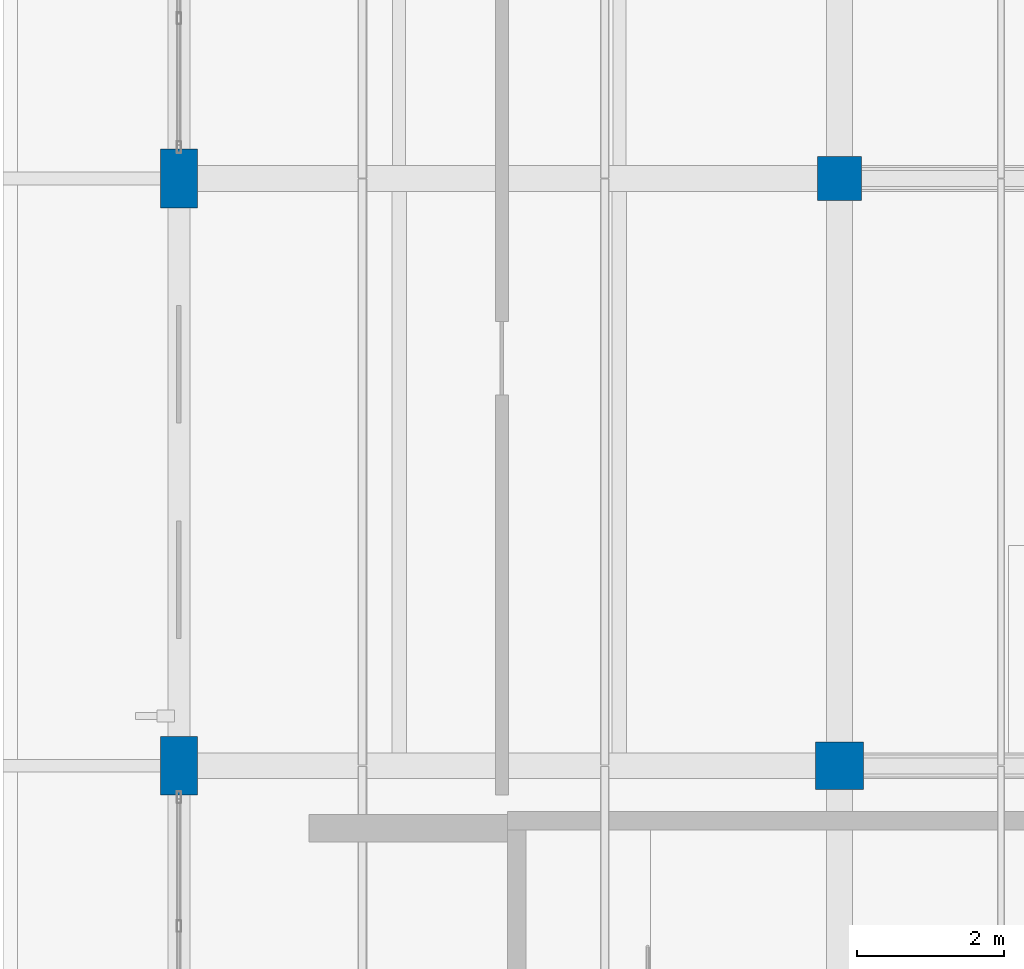
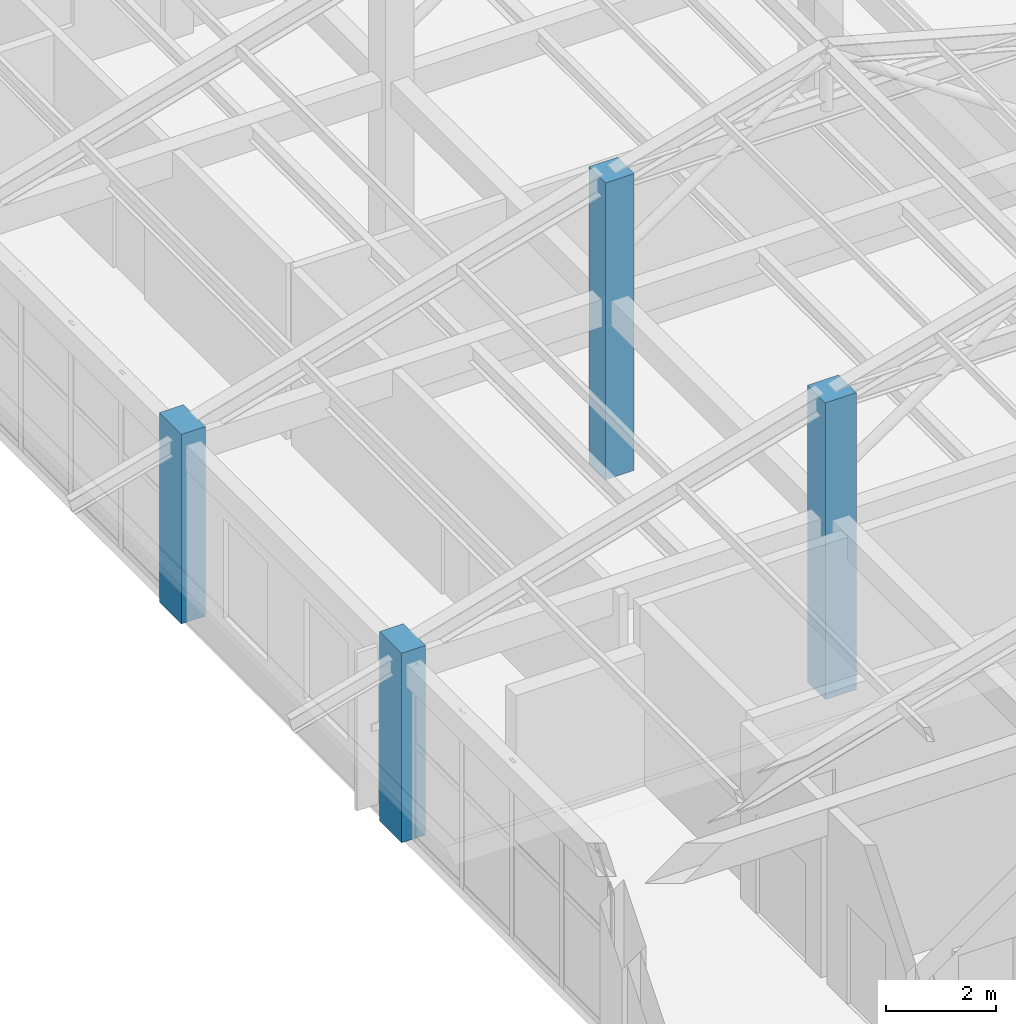
# One storey, part 3 of 58: 4 columns.
"""IFC4 building model written with IfcOpenShell, lengths in metres."""

from ifc_helpers import new_model, si_unit, derived_unit, direction, frame, origin, origin_2d, place, context, subcontext, project, spatial, rectangle, extrude, material, material_profile, profile_set, type_object, element, save


model = new_model("IFC4")

# Units and contexts
model_context = context("Model", 3, precision=1e-05, world=origin(), true_north=direction((0.0, 1.0)))
body_context = subcontext(model_context, "Body", "Model", "MODEL_VIEW")
ifc_project = project(units=[si_unit("LENGTHUNIT", "METRE"), si_unit("AREAUNIT", "SQUARE_METRE"), si_unit("VOLUMEUNIT", "CUBIC_METRE"), si_unit("PLANEANGLEUNIT", "RADIAN"), si_unit("MASSUNIT", "GRAM", prefix="KILO"), derived_unit("THERMALTRANSMITTANCEUNIT", [(si_unit("MASSUNIT", "GRAM", prefix="KILO"), 1), (si_unit("TIMEUNIT", "SECOND"), -3), (si_unit("THERMODYNAMICTEMPERATUREUNIT", "KELVIN"), -1)])], contexts=[model_context])

# Site, building, storey
site_placement = place(None, origin())
site = spatial("IfcSite", under=ifc_project, at=site_placement, CompositionType="ELEMENT")
building_placement = place(site_placement, origin())
building = spatial("IfcBuilding", under=site, at=building_placement, Name="Zhenchuan Archway Interchange", CompositionType="ELEMENT")
storey_placement = place(building_placement, frame((0.0, 0.0, 22.800048828125)))
storey = spatial("IfcBuildingStorey", under=building, at=storey_placement, Name="L05", CompositionType="ELEMENT", Elevation=22.800048828125)

# Columns
ifc_material = material(Name="Concrete C40", Category="concrete")
ifc_material_profile_1 = material_profile(ifc_material, rectangle(XDim=0.5, YDim=0.800048828125, at=origin_2d()), Name="RC 500x800")
ifc_profile_set_1 = profile_set([ifc_material_profile_1], Name="Concrete C40")
column_type_1 = type_object("IfcColumnType", Name="COL_RC_500x800_T", PredefinedType="COLUMN", material=ifc_profile_set_1)
for number, where, z_axis, x_axis, name in (
    (1, (144.0, 64.0, 0.0), (0.0, 0.0, 1.0), (1.0, 0.0, 0.0), "Column 17/J (L05)"),
    (2, (144.0, 72.0, 0.0), (0.0, 0.0, 1.0), (1.0, 0.0, 0.0), "Column 17/K (L05)"),
):
    element("IfcColumn", number, at=place(storey_placement, frame(where, z_axis=z_axis, x_axis=x_axis)), inside=storey, type_object=column_type_1, Name=name, PredefinedType="COLUMN", context=body_context, shape_type="SweptSolid", body=[
        extrude(rectangle(XDim=0.5, YDim=0.800048828125, at=origin_2d()), origin(), (0.0, 0.0, 1.0), 4.199951171875),
    ])
ifc_material_profile_2 = material_profile(ifc_material, rectangle(XDim=0.60009765625, YDim=0.60009765625, at=origin_2d()), Name="RC 600x600")
ifc_profile_set_2 = profile_set([ifc_material_profile_2], Name="Concrete C40")
column_type_2 = type_object("IfcColumnType", Name="COL_RC_600_T", PredefinedType="COLUMN", material=ifc_profile_set_2)
column_1_placement = place(storey_placement, frame((153.0, 72.0, 0.0), z_axis=(0.0, 0.0, 1.0), x_axis=(1.0, 0.0, 0.0)))
element("IfcColumn", 3, at=column_1_placement, inside=storey, type_object=column_type_2, Name="Column 18/K (L05)", PredefinedType="COLUMN", context=body_context, shape_type="SweptSolid", body=[
    extrude(rectangle(XDim=0.60009765625, YDim=0.60009765625, at=origin_2d()), origin(), (0.0, 0.0, 1.0), 6.579833984375),
])
ifc_material_profile_3 = material_profile(ifc_material, rectangle(XDim=0.64990234375, YDim=0.64990234375, at=origin_2d()), Name="RC 650x650")
ifc_profile_set_3 = profile_set([ifc_material_profile_3], Name="Concrete C40")
column_type_3 = type_object("IfcColumnType", Name="COL_RC_650_T", PredefinedType="COLUMN", material=ifc_profile_set_3)
column_2_placement = place(storey_placement, frame((153.0, 64.0, 0.0), z_axis=(0.0, 0.0, 1.0), x_axis=(1.0, 0.0, 0.0)))
element("IfcColumn", 4, at=column_2_placement, inside=storey, type_object=column_type_3, Name="Column 18/J (L05)", PredefinedType="COLUMN", context=body_context, shape_type="SweptSolid", body=[
    extrude(rectangle(XDim=0.64990234375, YDim=0.64990234375, at=origin_2d()), origin(), (0.0, 0.0, 1.0), 6.579833984375),
])

save(model, "model.ifc")
